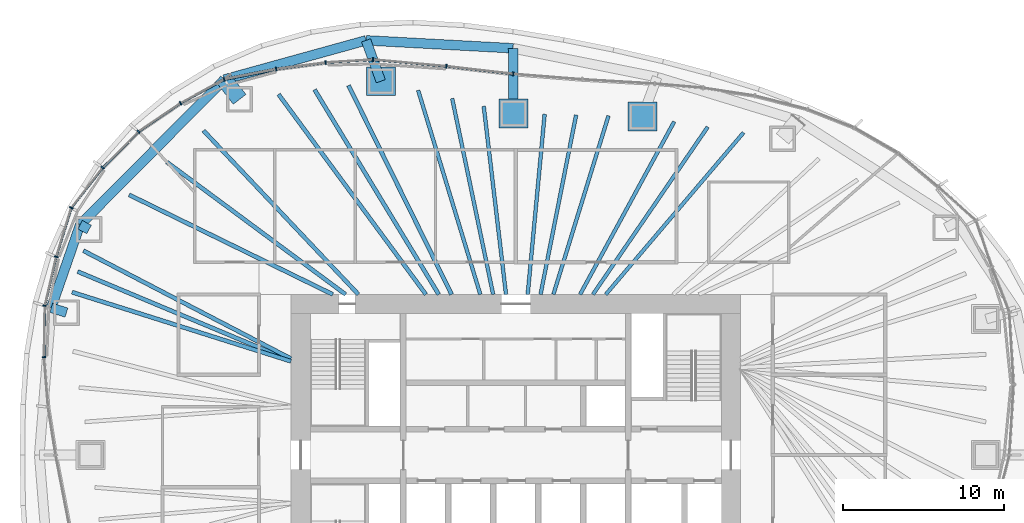
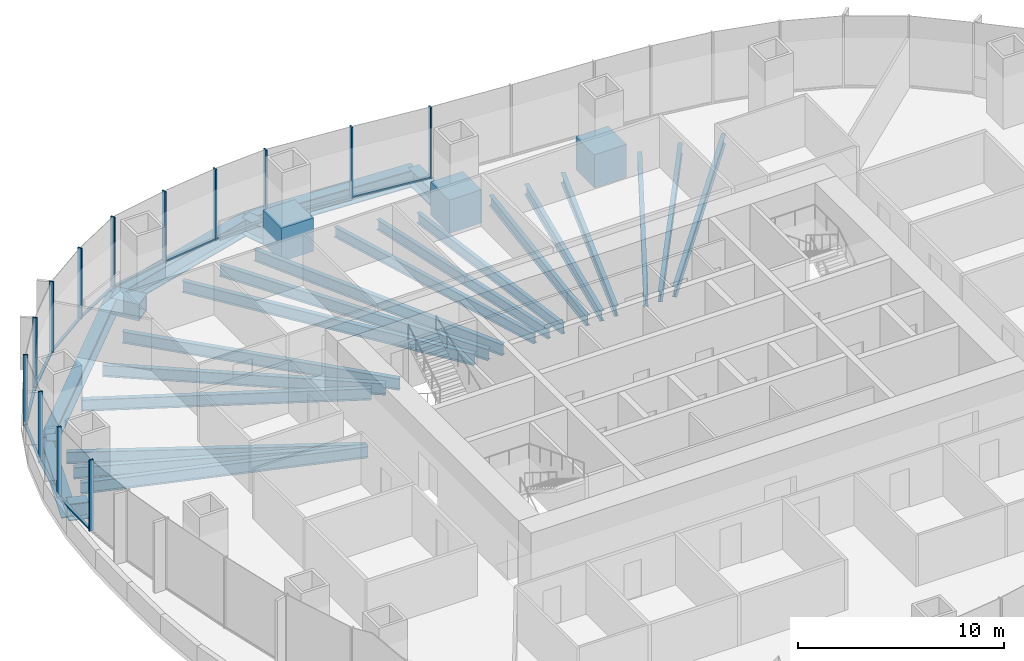
# One storey, part 5 of 20: 28 members, 27 beams, 5 elements without a shape of their own.
"""IFC4 building model written with IfcOpenShell, lengths in metres."""

import ifcopenshell
import ifcopenshell.guid

model = None  # the IFC model being written
_history = None  # IfcOwnerHistory: only IFC2X3 demands one
_inside = {}  # id of a spatial element -> (the spatial element, [elements in it])
_under = {}  # id of a project, library or spatial element -> (it, [spatial elements below it])
_declared = {}  # id of a project -> (the project, [libraries it declares])
_typed = {}  # id of a type object -> (the type object, [elements of that type])
_made_of = {}  # id of a material, layer set ... -> (it, [elements and type objects made of it])


def new_model(schema):
    """Start an empty IFC model of exactly this schema.

    Asked for "IFC4X3", IfcOpenShell would pick the latest addendum, in which some entities
    have other attributes; the version numbers below select the first issue.
    IFC2X3 requires an IfcOwnerHistory on every rooted entity: one is made here for all.
    """
    global model, _history
    if schema == "IFC4X3":
        model = ifcopenshell.file(schema_version=(4, 3, 0, 0))
    else:
        model = ifcopenshell.file(schema=schema)
    _inside.clear()
    _under.clear()
    _declared.clear()
    _typed.clear()
    _made_of.clear()
    _history = None
    if model.schema == "IFC2X3":
        org = make("IfcOrganization", Name="unknown")
        user = make(
            "IfcPersonAndOrganization",
            ThePerson=make("IfcPerson", FamilyName="unknown"),
            TheOrganization=org,
        )
        app = make(
            "IfcApplication",
            ApplicationDeveloper=org,
            Version="unknown",
            ApplicationFullName="unknown",
            ApplicationIdentifier="unknown",
        )
        _history = make(
            "IfcOwnerHistory",
            OwningUser=user,
            OwningApplication=app,
            ChangeAction="ADDED",
            CreationDate=0,
        )
    return model


def make(cls, **values):
    """One entity of the class cls with the attributes given. An attribute that is None is left unset."""
    return model.create_entity(
        cls, **{name: value for name, value in values.items() if value is not None}
    )


def rooted(cls, **values):
    """An entity with a GlobalId (a new one), such as an element, a storey or a relation."""
    return make(cls, GlobalId=ifcopenshell.guid.new(), OwnerHistory=_history, **values)


def si_unit(unit_type, name, prefix=None):
    """IfcSIUnit, for example si_unit("LENGTHUNIT", "METRE", prefix="MILLI")."""
    return make("IfcSIUnit", UnitType=unit_type, Prefix=prefix, Name=name)


def assignment(units):
    """IfcUnitAssignment: the units of a project."""
    return None if units is None else make("IfcUnitAssignment", Units=units)


def point(xyz):
    """IfcCartesianPoint."""
    return None if xyz is None else make("IfcCartesianPoint", Coordinates=xyz)


def direction(xyz):
    """IfcDirection."""
    return None if xyz is None else make("IfcDirection", DirectionRatios=xyz)


def frame(location, z_axis=None, x_axis=None):
    """IfcAxis2Placement3D, a coordinate frame: its origin and axes. An axis left out is left unset."""
    return make(
        "IfcAxis2Placement3D",
        Location=point(location),
        Axis=direction(z_axis),
        RefDirection=direction(x_axis),
    )


def frame_2d(location, x_axis=None):
    """IfcAxis2Placement2D, a coordinate frame in the plane: its origin and x axis."""
    return make(
        "IfcAxis2Placement2D", Location=point(location), RefDirection=direction(x_axis)
    )


def origin():
    """The frame at (0, 0, 0) with its axes left unset."""
    return frame((0.0, 0.0, 0.0))


def origin_2d():
    """The frame at (0, 0) in the plane with its x axis left unset."""
    return frame_2d((0.0, 0.0))


def place(relative_to, where):
    """IfcLocalPlacement: puts the frame where relative to a parent placement (None: the world)."""
    return make(
        "IfcLocalPlacement", PlacementRelTo=relative_to, RelativePlacement=where
    )


def context(
    kind, dimensions, precision=None, world=None, true_north=None, identifier=None
):
    """IfcGeometricRepresentationContext, for example the 3D "Model" context."""
    return make(
        "IfcGeometricRepresentationContext",
        ContextIdentifier=identifier,
        ContextType=kind,
        CoordinateSpaceDimension=dimensions,
        Precision=precision,
        WorldCoordinateSystem=world,
        TrueNorth=true_north,
    )


def subcontext(parent, identifier, kind, view, scale=None):
    """IfcGeometricRepresentationSubContext, for example "Body" below "Model"."""
    return make(
        "IfcGeometricRepresentationSubContext",
        ContextIdentifier=identifier,
        ContextType=kind,
        ParentContext=parent,
        TargetScale=scale,
        TargetView=view,
    )


def project(units=None, contexts=None):
    """IfcProject with its units and contexts."""
    return rooted(
        "IfcProject",
        Name="project",
        RepresentationContexts=contexts,
        UnitsInContext=assignment(units),
    )


def spatial(cls, under=None, at=None, **own):
    """A site, building, storey or space (cls), placed at a placement, below another one or the project."""
    s = rooted(cls, ObjectPlacement=at, **own)
    if under is not None:
        _under.setdefault(under.id(), (under, []))[1].append(s)
    return s


def profile(cls, at=None, kind="AREA", **sizes):
    """A parametric profile (cls). Its sizes go by their IFC names, for example OverallWidth=200.0."""
    return make(cls, ProfileType=kind, Position=at, **sizes)


def rectangle(**sizes):
    """IfcRectangleProfileDef."""
    return profile("IfcRectangleProfileDef", **sizes)


def hollow_rectangle(**sizes):
    """IfcRectangleHollowProfileDef."""
    return profile("IfcRectangleHollowProfileDef", **sizes)


def i_section(**sizes):
    """IfcIShapeProfileDef."""
    return profile("IfcIShapeProfileDef", **sizes)


def extrude(swept, where, along, depth):
    """IfcExtrudedAreaSolid: the profile swept, set in the frame where, extruded along a direction by depth."""
    return make(
        "IfcExtrudedAreaSolid",
        SweptArea=swept,
        Position=where,
        ExtrudedDirection=direction(along),
        Depth=depth,
    )


def boolean(op, a, b):
    """IfcBooleanResult of two solids."""
    return make("IfcBooleanResult", Operator=op, FirstOperand=a, SecondOperand=b)


def shape(context_of_items, identifier, shape_type, items):
    """IfcShapeRepresentation: the items that make up one representation, for example the "Body"."""
    return make(
        "IfcShapeRepresentation",
        ContextOfItems=context_of_items,
        RepresentationIdentifier=identifier,
        RepresentationType=shape_type,
        Items=items,
    )


def material(Name=None, Category=None):
    """IfcMaterial."""
    return make("IfcMaterial", Name=Name, Category=Category)


def material_profile(
    of_material, cross_section, Name=None, Category=None, Priority=None
):
    """IfcMaterialProfile: a cross section and its material."""
    return make(
        "IfcMaterialProfile",
        Name=Name,
        Material=of_material,
        Profile=cross_section,
        Priority=Priority,
        Category=Category,
    )


def profile_set(profiles, Name=None, composite=None):
    """IfcMaterialProfileSet."""
    return make(
        "IfcMaterialProfileSet",
        Name=Name,
        MaterialProfiles=profiles,
        CompositeProfile=composite,
    )


def made_of(thing, what):
    """Note that an element or type object is made of a material, layer set ...; save() writes the relation."""
    if what is not None:
        _made_of.setdefault(what.id(), (what, []))[1].append(thing)
    return thing


def type_object(cls, material=None, **own):
    """A type object (cls), such as IfcWallType, which elements share."""
    return made_of(rooted(cls, **own), material)


def element(
    cls,
    number,
    at=None,
    inside=None,
    cuts=None,
    type_object=None,
    material=None,
    context=None,
    identifier="Body",
    shape_type=None,
    held_by="IfcProductDefinitionShape",
    body=None,
    shapes=None,
    **own,
):
    """One element of the class cls, such as IfcWall. Its Tag is "e" and its number.

    at: its placement. inside: the storey or other place that contains it. cuts: it is an
    opening in that element (IfcRelVoidsElement). A single representation is given by context,
    identifier, shape_type and body (its items); several are given by shapes. held_by: the class
    of the entity that holds the representations. save() writes the other relations.
    """
    e = rooted(cls, Tag="e%d" % number, ObjectPlacement=at, **own)
    if body is not None:
        shapes = [shape(context, identifier, shape_type, body)]
    if shapes is not None:
        e.Representation = make(held_by, Representations=shapes)
    if inside is not None:
        _inside.setdefault(inside.id(), (inside, []))[1].append(e)
    if cuts is not None:
        rooted(
            "IfcRelVoidsElement", RelatingBuildingElement=cuts, RelatedOpeningElement=e
        )
    if type_object is not None:
        _typed.setdefault(type_object.id(), (type_object, []))[1].append(e)
    return made_of(e, material)


def aggregate(whole, parts):
    """IfcRelAggregates: a whole, such as a stair, and the parts it consists of."""
    return rooted("IfcRelAggregates", RelatingObject=whole, RelatedObjects=parts)


def save(model, path):
    """Write the relations noted so far, then the file.

    IfcRelAggregates (storeys below a building ...), IfcRelContainedInSpatialStructure (elements
    in a storey), IfcRelDefinesByType, IfcRelAssociatesMaterial and IfcRelDeclares: one each for
    every whole, place, type object, material and project.
    """
    for whole, parts in _under.values():
        aggregate(whole, parts)
    for where, things in _inside.values():
        rooted(
            "IfcRelContainedInSpatialStructure",
            RelatedElements=things,
            RelatingStructure=where,
        )
    for kind, things in _typed.values():
        rooted("IfcRelDefinesByType", RelatedObjects=things, RelatingType=kind)
    for what, things in _made_of.values():
        rooted("IfcRelAssociatesMaterial", RelatedObjects=things, RelatingMaterial=what)
    for by, libraries in _declared.values():
        rooted("IfcRelDeclares", RelatingContext=by, RelatedDefinitions=libraries)
    model.write(path)


model = new_model("IFC4")

# Units and contexts
model_context = context("Model", 3, precision=1e-05, world=origin(), true_north=direction((0.0, 1.0)))
body_context = subcontext(model_context, "Body", "Model", "MODEL_VIEW")
ifc_project = project(units=[si_unit("LENGTHUNIT", "METRE"), si_unit("AREAUNIT", "SQUARE_METRE"), si_unit("VOLUMEUNIT", "CUBIC_METRE"), si_unit("PLANEANGLEUNIT", "RADIAN"), si_unit("MASSUNIT", "GRAM", prefix="KILO")], contexts=[model_context])

# Site, building, storey
site_placement = place(None, origin())
site = spatial("IfcSite", under=ifc_project, at=site_placement, CompositionType="ELEMENT")
building_placement = place(site_placement, origin())
building = spatial("IfcBuilding", under=site, at=building_placement, Name="Ghaith Harvest Tower", CompositionType="ELEMENT")
storey_placement = place(building_placement, frame((0.0, 0.0, 105.0)))
storey = spatial("IfcBuildingStorey", under=building, at=storey_placement, Name="L21", CompositionType="ELEMENT", Elevation=105.0)

# Curtain wall, members
ifc_material_1 = material(Name="Black anodised aluminium and fritted glass", Category="aluminium")
curtain_wall_type = type_object("IfcCurtainWallType", Name="CW-L CURTAIN WALL", PredefinedType="NOTDEFINED", material=ifc_material_1)
curtain_wall_1_placement = place(storey_placement, origin())
curtain_wall_1 = element("IfcCurtainWall", 1, at=curtain_wall_1_placement, inside=storey, type_object=curtain_wall_type, Name="Curtain wall CW-L bay 06 L21", PredefinedType="NOTDEFINED")
ifc_material_2 = material(Name="Aluminium, black anodised", Category="aluminium")
ifc_material_profile_1 = material_profile(ifc_material_2, rectangle(XDim=0.080078125, YDim=0.239990234375, at=origin_2d()), Name="CW-L MULLION 80x240")
ifc_profile_set_1 = profile_set([ifc_material_profile_1], Name="Aluminium, black anodised")
member_type_1 = type_object("IfcMemberType", Name="CW-L MULLION 80x240", PredefinedType="MULLION", material=ifc_profile_set_1)
member_1_placement = place(storey_placement, frame((-0.162353515625, 23.729736328125, 0.0), z_axis=(0.0, 0.0, 1.0), x_axis=(-0.995388088953, 0.095929934691, 0.0)))
member_1 = element("IfcMember", 2, at=member_1_placement, type_object=member_type_1, Name="CW-L mullion 1 bay 06 L21", PredefinedType="MULLION", context=body_context, shape_type="SweptSolid", body=[
    extrude(rectangle(XDim=0.080078125, YDim=0.239990234375, at=origin_2d()), origin(), (0.0, 0.0, 1.0), 4.199951171875),
])
member_2_placement = place(storey_placement, frame((-4.322998046875, 24.207275390625, 0.0), z_axis=(0.0, 0.0, 1.0), x_axis=(-0.994830371571, 0.101550636625, 0.0)))
member_2 = element("IfcMember", 3, at=member_2_placement, type_object=member_type_1, Name="CW-L mullion 2 bay 06 L21", PredefinedType="MULLION", context=body_context, shape_type="SweptSolid", body=[
    extrude(rectangle(XDim=0.080078125, YDim=0.239990234375, at=origin_2d()), origin(), (0.0, 0.0, 1.0), 4.199951171875),
])

curtain_wall_2_placement = place(storey_placement, origin())
curtain_wall_2 = element("IfcCurtainWall", 4, at=curtain_wall_2_placement, inside=storey, type_object=curtain_wall_type, Name="Curtain wall CW-L bay 07 L21", PredefinedType="NOTDEFINED")
member_3_placement = place(storey_placement, frame((-8.892578125, 24.620849609375, 0.0), z_axis=(0.0, 0.0, 1.0), x_axis=(-0.999522209385, 0.030908784286, 0.0)))
member_3 = element("IfcMember", 5, at=member_3_placement, type_object=member_type_1, Name="CW-L mullion 1 bay 07 L21", PredefinedType="MULLION", context=body_context, shape_type="SweptSolid", body=[
    extrude(rectangle(XDim=0.080078125, YDim=0.239990234375, at=origin_2d()), origin(), (0.0, 0.0, 1.0), 4.199951171875),
])
member_4_placement = place(storey_placement, frame((-11.841064453125, 24.439697265625, 0.0), z_axis=(0.0, 0.0, 1.0), x_axis=(-0.995237520168, -0.097479630949, 0.0)))
member_4 = element("IfcMember", 6, at=member_4_placement, type_object=member_type_1, Name="CW-L mullion 2 bay 07 L21", PredefinedType="MULLION", context=body_context, shape_type="SweptSolid", body=[
    extrude(rectangle(XDim=0.080078125, YDim=0.239990234375, at=origin_2d()), origin(), (0.0, 0.0, 1.0), 4.199951171875),
])
member_5_placement = place(storey_placement, frame((-14.923828125, 24.030029296875, 0.0), z_axis=(0.0, 0.0, 1.0), x_axis=(-0.986494514812, -0.163794298578, 0.0)))
member_5 = element("IfcMember", 7, at=member_5_placement, type_object=member_type_1, Name="CW-L mullion 3 bay 07 L21", PredefinedType="MULLION", context=body_context, shape_type="SweptSolid", body=[
    extrude(rectangle(XDim=0.080078125, YDim=0.239990234375, at=origin_2d()), origin(), (0.0, 0.0, 1.0), 4.199951171875),
])

curtain_wall_3_placement = place(storey_placement, origin())
curtain_wall_3 = element("IfcCurtainWall", 8, at=curtain_wall_3_placement, inside=storey, type_object=curtain_wall_type, Name="Curtain wall CW-L bay 08 L21", PredefinedType="NOTDEFINED")
member_6_placement = place(storey_placement, frame((-18.165283203125, 23.3896484375, 0.0), z_axis=(0.0, 0.0, 1.0), x_axis=(-0.942103541202, -0.335322110298, 0.0)))
member_6 = element("IfcMember", 9, at=member_6_placement, type_object=member_type_1, Name="CW-L mullion 1 bay 08 L21", PredefinedType="MULLION", context=body_context, shape_type="SweptSolid", body=[
    extrude(rectangle(XDim=0.080078125, YDim=0.239990234375, at=origin_2d()), origin(), (0.0, 0.0, 1.0), 4.199951171875),
])
member_7_placement = place(storey_placement, frame((-20.87548828125, 21.91162109375, 0.0), z_axis=(0.0, 0.0, 1.0), x_axis=(-0.853515864435, -0.521066856707, 0.0)))
member_7 = element("IfcMember", 10, at=member_7_placement, type_object=member_type_1, Name="CW-L mullion 2 bay 08 L21", PredefinedType="MULLION", context=body_context, shape_type="SweptSolid", body=[
    extrude(rectangle(XDim=0.080078125, YDim=0.239990234375, at=origin_2d()), origin(), (0.0, 0.0, 1.0), 4.199951171875),
])
member_8_placement = place(storey_placement, frame((-23.489501953125, 20.13916015625, 0.0), z_axis=(0.0, 0.0, 1.0), x_axis=(-0.769682554376, -0.638426789451, 0.0)))
member_8 = element("IfcMember", 11, at=member_8_placement, type_object=member_type_1, Name="CW-L mullion 3 bay 08 L21", PredefinedType="MULLION", context=body_context, shape_type="SweptSolid", body=[
    extrude(rectangle(XDim=0.080078125, YDim=0.239990234375, at=origin_2d()), origin(), (0.0, 0.0, 1.0), 4.199951171875),
])

curtain_wall_4_placement = place(storey_placement, origin())
curtain_wall_4 = element("IfcCurtainWall", 12, at=curtain_wall_4_placement, inside=storey, type_object=curtain_wall_type, Name="Curtain wall CW-L bay 09 L21", PredefinedType="NOTDEFINED")
member_9_placement = place(storey_placement, frame((-25.718017578125, 17.894775390625, 0.0), z_axis=(0.0, 0.0, 1.0), x_axis=(-0.661903840688, -0.749588757708, 0.0)))
member_9 = element("IfcMember", 13, at=member_9_placement, type_object=member_type_1, Name="CW-L mullion 1 bay 09 L21", PredefinedType="MULLION", context=body_context, shape_type="SweptSolid", body=[
    extrude(rectangle(XDim=0.080078125, YDim=0.239990234375, at=origin_2d()), origin(), (0.0, 0.0, 1.0), 4.199951171875),
])
member_10_placement = place(storey_placement, frame((-27.67919921875, 15.39453125, 0.0), z_axis=(0.0, 0.0, 1.0), x_axis=(-0.462889784298, -0.886415843491, 0.0)))
member_10 = element("IfcMember", 14, at=member_10_placement, type_object=member_type_1, Name="CW-L mullion 2 bay 09 L21", PredefinedType="MULLION", context=body_context, shape_type="SweptSolid", body=[
    extrude(rectangle(XDim=0.080078125, YDim=0.239990234375, at=origin_2d()), origin(), (0.0, 0.0, 1.0), 4.199951171875),
])
member_11_placement = place(storey_placement, frame((-28.61669921875, 12.343994140625, 0.0), z_axis=(0.0, 0.0, 1.0), x_axis=(-0.260727312416, -0.965412486226, 0.0)))
member_11 = element("IfcMember", 15, at=member_11_placement, type_object=member_type_1, Name="CW-L mullion 3 bay 09 L21", PredefinedType="MULLION", context=body_context, shape_type="SweptSolid", body=[
    extrude(rectangle(XDim=0.080078125, YDim=0.239990234375, at=origin_2d()), origin(), (0.0, 0.0, 1.0), 4.199951171875),
])

curtain_wall_5_placement = place(storey_placement, origin())
curtain_wall_5 = element("IfcCurtainWall", 16, at=curtain_wall_5_placement, inside=storey, type_object=curtain_wall_type, Name="Curtain wall CW-L bay 10 L21", PredefinedType="NOTDEFINED")
member_12_placement = place(storey_placement, frame((-29.32666015625, 9.294189453125, 0.0), z_axis=(0.0, 0.0, 1.0), x_axis=(-0.120932140225, -0.99266077663, 0.0)))
member_12 = element("IfcMember", 17, at=member_12_placement, type_object=member_type_1, Name="CW-L mullion 1 bay 10 L21", PredefinedType="MULLION", context=body_context, shape_type="SweptSolid", body=[
    extrude(rectangle(XDim=0.080078125, YDim=0.239990234375, at=origin_2d()), origin(), (0.0, 0.0, 1.0), 4.199951171875),
])
member_13_placement = place(storey_placement, frame((-29.3779296875, 6.09619140625, 0.0), z_axis=(0.0, 0.0, 1.0), x_axis=(0.031027769448, -0.999518522851, 0.0)))
member_13 = element("IfcMember", 18, at=member_13_placement, type_object=member_type_1, Name="CW-L mullion 2 bay 10 L21", PredefinedType="MULLION", context=body_context, shape_type="SweptSolid", body=[
    extrude(rectangle(XDim=0.080078125, YDim=0.239990234375, at=origin_2d()), origin(), (0.0, 0.0, 1.0), 4.199951171875),
])

# Member
ifc_material_3 = material(Name="Aluminium, black anodised", Category="aluminium")
ifc_material_profile_2 = material_profile(ifc_material_3, rectangle(XDim=0.14990234375, YDim=0.080078125, at=origin_2d()), Name="CW-L TRANSOM 150x80")
ifc_profile_set_2 = profile_set([ifc_material_profile_2], Name="Aluminium, black anodised")
member_type_2 = type_object("IfcMemberType", Name="CW-L TRANSOM 150x80", PredefinedType="USERDEFINED", material=ifc_profile_set_2)
member_14_placement = place(storey_placement, frame((-0.2021484375, 23.734130859375, 0.0400390625), z_axis=(-0.993474883942, 0.114051106861, 0.0), x_axis=(-0.114051106861, -0.993474883942, 0.0)))
member_14 = element("IfcMember", 19, at=member_14_placement, type_object=member_type_2, Name="CW-L transom 1 bay 06 L21", ObjectType="TRANSOM", PredefinedType="USERDEFINED", context=body_context, shape_type="SweptSolid", body=[
    extrude(rectangle(XDim=0.14990234375, YDim=0.080078125, at=origin_2d()), origin(), (0.0, 0.0, 1.0), 4.10791015625),
])

member_15_placement = place(storey_placement, frame((-4.36279296875, 24.210693359375, 0.0400390625), z_axis=(-0.995926431676, 0.090169521954, 0.0), x_axis=(-0.090169521954, -0.995926431676, 0.0)))
member_15 = element("IfcMember", 20, at=member_15_placement, type_object=member_type_2, Name="CW-L transom 2 bay 06 L21", ObjectType="TRANSOM", PredefinedType="USERDEFINED", context=body_context, shape_type="SweptSolid", body=[
    extrude(rectangle(XDim=0.14990234375, YDim=0.080078125, at=origin_2d()), origin(), (0.0, 0.0, 1.0), 4.508056640625),
])

aggregate(curtain_wall_1, [member_1, member_14, member_2, member_15])

member_16_placement = place(storey_placement, frame((-8.932373046875, 24.618408203125, 0.0400390625), z_axis=(-0.998117793577, -0.061325933705, 0.0), x_axis=(0.061325933705, -0.998117793577, 0.0)))
member_16 = element("IfcMember", 21, at=member_16_placement, type_object=member_type_2, Name="CW-L transom 1 bay 07 L21", ObjectType="TRANSOM", PredefinedType="USERDEFINED", context=body_context, shape_type="SweptSolid", body=[
    extrude(rectangle(XDim=0.14990234375, YDim=0.080078125, at=origin_2d()), origin(), (0.0, 0.0, 1.0), 2.874267578125),
])

member_17_placement = place(storey_placement, frame((-11.880859375, 24.434326171875, 0.0400390625), z_axis=(-0.991293929443, -0.131667556553, 0.0), x_axis=(0.131667556553, -0.991293929443, 0.0)))
member_17 = element("IfcMember", 22, at=member_17_placement, type_object=member_type_2, Name="CW-L transom 2 bay 07 L21", ObjectType="TRANSOM", PredefinedType="USERDEFINED", context=body_context, shape_type="SweptSolid", body=[
    extrude(rectangle(XDim=0.14990234375, YDim=0.080078125, at=origin_2d()), origin(), (0.0, 0.0, 1.0), 3.02978515625),
])

member_18_placement = place(storey_placement, frame((-14.963134765625, 24.022216796875, 0.0400390625), z_axis=(-0.98104391994, -0.19378551842, 0.0), x_axis=(0.19378551842, -0.98104391994, 0.0)))
member_18 = element("IfcMember", 23, at=member_18_placement, type_object=member_type_2, Name="CW-L transom 3 bay 07 L21", ObjectType="TRANSOM", PredefinedType="USERDEFINED", context=body_context, shape_type="SweptSolid", body=[
    extrude(rectangle(XDim=0.14990234375, YDim=0.080078125, at=origin_2d()), origin(), (0.0, 0.0, 1.0), 3.223876953125),
])

aggregate(curtain_wall_2, [member_3, member_16, member_4, member_17, member_5, member_18])

member_19_placement = place(storey_placement, frame((-18.200439453125, 23.37060546875, 0.0400390625), z_axis=(-0.877929702377, -0.478789554695, 0.0), x_axis=(0.478789554695, -0.877929702377, 0.0)))
member_19 = element("IfcMember", 24, at=member_19_placement, type_object=member_type_2, Name="CW-L transom 1 bay 08 L21", ObjectType="TRANSOM", PredefinedType="USERDEFINED", context=body_context, shape_type="SweptSolid", body=[
    extrude(rectangle(XDim=0.14990234375, YDim=0.080078125, at=origin_2d()), origin(), (0.0, 0.0, 1.0), 3.0068359375),
])

member_20_placement = place(storey_placement, frame((-20.908447265625, 21.88916015625, 0.0400390625), z_axis=(-0.827681025079, -0.561198824593, 0.0), x_axis=(0.561198824593, -0.827681025079, 0.0)))
member_20 = element("IfcMember", 25, at=member_20_placement, type_object=member_type_2, Name="CW-L transom 2 bay 08 L21", ObjectType="TRANSOM", PredefinedType="USERDEFINED", context=body_context, shape_type="SweptSolid", body=[
    extrude(rectangle(XDim=0.14990234375, YDim=0.080078125, at=origin_2d()), origin(), (0.0, 0.0, 1.0), 3.078369140625),
])

member_21_placement = place(storey_placement, frame((-23.517578125, 20.11083984375, 0.0400390625), z_axis=(-0.704647577514, -0.709557461735, 0.0), x_axis=(0.709557461735, -0.704647577514, 0.0)))
member_21 = element("IfcMember", 26, at=member_21_placement, type_object=member_type_2, Name="CW-L transom 3 bay 08 L21", ObjectType="TRANSOM", PredefinedType="USERDEFINED", context=body_context, shape_type="SweptSolid", body=[
    extrude(rectangle(XDim=0.14990234375, YDim=0.080078125, at=origin_2d()), origin(), (0.0, 0.0, 1.0), 3.0830078125),
])

aggregate(curtain_wall_3, [member_6, member_19, member_7, member_20, member_8, member_21])

member_22_placement = place(storey_placement, frame((-25.74267578125, 17.86328125, 0.0400390625), z_axis=(-0.617198298797, -0.786807638474, 0.0), x_axis=(0.786807638474, -0.617198298797, 0.0)))
member_22 = element("IfcMember", 27, at=member_22_placement, type_object=member_type_2, Name="CW-L transom 1 bay 09 L21", ObjectType="TRANSOM", PredefinedType="USERDEFINED", context=body_context, shape_type="SweptSolid", body=[
    extrude(rectangle(XDim=0.14990234375, YDim=0.080078125, at=origin_2d()), origin(), (0.0, 0.0, 1.0), 3.09765625),
])

member_23_placement = place(storey_placement, frame((-27.69091796875, 15.356201171875, 0.0400390625), z_axis=(-0.293777058804, -0.955873966441, 0.0), x_axis=(0.955873966441, -0.293777058804, 0.0)))
member_23 = element("IfcMember", 28, at=member_23_placement, type_object=member_type_2, Name="CW-L transom 2 bay 09 L21", ObjectType="TRANSOM", PredefinedType="USERDEFINED", context=body_context, shape_type="SweptSolid", body=[
    extrude(rectangle(XDim=0.14990234375, YDim=0.080078125, at=origin_2d()), origin(), (0.0, 0.0, 1.0), 3.111328125),
])

member_24_placement = place(storey_placement, frame((-28.6259765625, 12.304931640625, 0.0400390625), z_axis=(-0.226670598607, -0.973971477882, 0.0), x_axis=(0.973971477882, -0.226670598607, 0.0)))
member_24 = element("IfcMember", 29, at=member_24_placement, type_object=member_type_2, Name="CW-L transom 3 bay 09 L21", ObjectType="TRANSOM", PredefinedType="USERDEFINED", context=body_context, shape_type="SweptSolid", body=[
    extrude(rectangle(XDim=0.14990234375, YDim=0.080078125, at=origin_2d()), origin(), (0.0, 0.0, 1.0), 3.05126953125),
])

aggregate(curtain_wall_4, [member_9, member_22, member_10, member_23, member_11, member_24])

member_25_placement = place(storey_placement, frame((-29.327392578125, 9.254150390625, 0.0400390625), z_axis=(-0.015971652868, -0.999872445017, 0.0), x_axis=(0.999872445017, -0.015971652868, 0.0)))
member_25 = element("IfcMember", 30, at=member_25_placement, type_object=member_type_2, Name="CW-L transom 1 bay 10 L21", ObjectType="TRANSOM", PredefinedType="USERDEFINED", context=body_context, shape_type="SweptSolid", body=[
    extrude(rectangle(XDim=0.14990234375, YDim=0.080078125, at=origin_2d()), origin(), (0.0, 0.0, 1.0), 3.118408203125),
])

aggregate(curtain_wall_5, [member_12, member_25, member_13])

# Beams
ifc_material_4 = material(Name="Steel S460", Category="steel")
ifc_material_profile_3 = material_profile(ifc_material_4, i_section(OverallWidth=0.60009765625, OverallDepth=1.0, WebThickness=0.02490234375, FlangeThickness=0.050048828125, at=origin_2d()), Name="PG1000X600X25X50")
ifc_profile_set_3 = profile_set([ifc_material_profile_3], Name="Steel S460")
beam_type_1 = type_object("IfcBeamType", Name="EPG1000 PG1000X600X25X50", PredefinedType="SPANDREL", material=ifc_profile_set_3)
beam_1_placement = place(storey_placement, frame((-0.17333984375, 25.3271484375, -0.77490234375), z_axis=(-0.998545840532, 0.053909223293, 0.0), x_axis=(-0.053909223293, -0.998545840532, 0.0)))
element("IfcBeam", 31, at=beam_1_placement, inside=storey, type_object=beam_type_1, Name="Setback edge beam E06 L21", PredefinedType="SPANDREL", context=body_context, shape_type="SweptSolid", body=[
    extrude(i_section(OverallWidth=0.60009765625, OverallDepth=1.0, WebThickness=0.02490234375, FlangeThickness=0.050048828125, at=origin_2d()), origin(), (0.0, 0.0, 1.0), 9.166259765625),
])
beam_2_placement = place(storey_placement, frame((-9.326171875, 25.8212890625, -0.77490234375), z_axis=(-0.963849273631, -0.26644807697, 0.0), x_axis=(0.26644807697, -0.963849273631, 0.0)))
element("IfcBeam", 32, at=beam_2_placement, inside=storey, type_object=beam_type_1, Name="Setback edge beam E07 L21", PredefinedType="SPANDREL", context=body_context, shape_type="SweptSolid", body=[
    extrude(i_section(OverallWidth=0.60009765625, OverallDepth=1.0, WebThickness=0.02490234375, FlangeThickness=0.050048828125, at=origin_2d()), origin(), (0.0, 0.0, 1.0), 9.162841796875),
])
beam_3_placement = place(storey_placement, frame((-18.15771484375, 23.3798828125, -0.77490234375), z_axis=(-0.704591401577, -0.709613244538, 0.0), x_axis=(0.709613244538, -0.704591401577, 0.0)))
element("IfcBeam", 33, at=beam_3_placement, inside=storey, type_object=beam_type_1, Name="Setback edge beam E08 L21", PredefinedType="SPANDREL", context=body_context, shape_type="SweptSolid", body=[
    extrude(i_section(OverallWidth=0.60009765625, OverallDepth=1.0, WebThickness=0.02490234375, FlangeThickness=0.050048828125, at=origin_2d()), origin(), (0.0, 0.0, 1.0), 12.7373046875),
])
beam_4_placement = place(storey_placement, frame((-27.13232421875, 14.34130859375, -0.77490234375), z_axis=(-0.328292374125, -0.94457615738, 0.0), x_axis=(0.94457615738, -0.328292374125, 0.0)))
element("IfcBeam", 34, at=beam_4_placement, inside=storey, type_object=beam_type_1, Name="Setback edge beam E09 L21", PredefinedType="SPANDREL", context=body_context, shape_type="SweptSolid", body=[
    extrude(i_section(OverallWidth=0.60009765625, OverallDepth=1.0, WebThickness=0.02490234375, FlangeThickness=0.050048828125, at=origin_2d()), origin(), (0.0, 0.0, 1.0), 5.476318359375),
])
ifc_material_5 = material(Name="Steel S460M", Category="steel")
ifc_material_profile_4 = material_profile(ifc_material_5, hollow_rectangle(XDim=1.0, YDim=1.0, WallThickness=0.080078125, at=origin_2d()), Name="BOX1000X1000X80")
ifc_profile_set_4 = profile_set([ifc_material_profile_4], Name="Steel S460M")
beam_type_2 = type_object("IfcBeamType", Name="GB1000 BOX1000X1000X80", PredefinedType="BEAM", material=ifc_profile_set_4)
beam_5_placement = place(storey_placement, frame((-17.201904296875, 22.14990234375, -0.77490234375), z_axis=(-0.61360418766, 0.789613766905, 0.0), x_axis=(-0.789613766905, -0.61360418766, 0.0)))
element("IfcBeam", 35, at=beam_5_placement, inside=storey, type_object=beam_type_2, Name="Setback cantilever G08 L21", PredefinedType="BEAM", context=body_context, shape_type="SweptSolid", body=[
    extrude(hollow_rectangle(XDim=1.0, YDim=1.0, WallThickness=0.080078125, at=origin_2d()), origin(), (0.0, 0.0, 1.0), 1.5576171875),
])
ifc_material_6 = material(Name="Steel S460", Category="steel")
ifc_material_profile_5 = material_profile(ifc_material_6, i_section(OverallWidth=0.60009765625, OverallDepth=1.0, WebThickness=0.02490234375, FlangeThickness=0.050048828125, at=origin_2d()), Name="PG1000X600X25X50")
ifc_profile_set_5 = profile_set([ifc_material_profile_5], Name="Steel S460")
beam_type_3 = type_object("IfcBeamType", Name="GPG1000 PG1000X600X25X50", PredefinedType="BEAM", material=ifc_profile_set_5)
beam_6_placement = place(storey_placement, frame((-0.14599609375, 21.27099609375, -0.77490234375), z_axis=(-0.006741149341, 0.999977278195, 0.0), x_axis=(-0.999977278195, -0.006741149341, 0.0)))
element("IfcBeam", 36, at=beam_6_placement, inside=storey, type_object=beam_type_3, Name="Setback cantilever G06 L21", PredefinedType="BEAM", context=body_context, shape_type="SweptSolid", body=[
    extrude(i_section(OverallWidth=0.60009765625, OverallDepth=1.0, WebThickness=0.02490234375, FlangeThickness=0.050048828125, at=origin_2d()), origin(), (0.0, 0.0, 1.0), 4.05615234375),
])
beam_7_placement = place(storey_placement, frame((-8.406982421875, 23.27587890625, -0.77490234375), z_axis=(-0.33964889741, 0.940552298646, 0.0), x_axis=(-0.940552298646, -0.33964889741, 0.0)))
element("IfcBeam", 37, at=beam_7_placement, inside=storey, type_object=beam_type_3, Name="Setback cantilever G07 L21", PredefinedType="BEAM", context=body_context, shape_type="SweptSolid", body=[
    extrude(i_section(OverallWidth=0.60009765625, OverallDepth=1.0, WebThickness=0.02490234375, FlangeThickness=0.050048828125, at=origin_2d()), origin(), (0.0, 0.0, 1.0), 2.706298828125),
])
beam_8_placement = place(storey_placement, frame((-26.572998046875, 14.0458984375, -0.77490234375), z_axis=(-0.884247518612, 0.467018549769, 0.0), x_axis=(-0.467018549769, -0.884247518612, 0.0)))
element("IfcBeam", 38, at=beam_8_placement, inside=storey, type_object=beam_type_3, Name="Setback cantilever G09 L21", PredefinedType="BEAM", context=body_context, shape_type="SweptSolid", body=[
    extrude(i_section(OverallWidth=0.60009765625, OverallDepth=1.0, WebThickness=0.02490234375, FlangeThickness=0.050048828125, at=origin_2d()), origin(), (0.0, 0.0, 1.0), 0.632568359375),
])
beam_9_placement = place(storey_placement, frame((-27.98291015625, 8.867919921875, -0.77490234375), z_axis=(-0.953177107799, 0.302412633943, 0.0), x_axis=(-0.302412633943, -0.953177107799, 0.0)))
element("IfcBeam", 39, at=beam_9_placement, inside=storey, type_object=beam_type_3, Name="Setback cantilever G10 L21", PredefinedType="BEAM", context=body_context, shape_type="SweptSolid", body=[
    extrude(i_section(OverallWidth=0.60009765625, OverallDepth=1.0, WebThickness=0.02490234375, FlangeThickness=0.050048828125, at=origin_2d()), origin(), (0.0, 0.0, 1.0), 0.993896484375),
])
ifc_material_7 = material(Name="Steel ASTM A992 Grade 50", Category="steel")
ifc_material_profile_6 = material_profile(ifc_material_7, i_section(OverallWidth=0.22900390625, OverallDepth=0.612060546875, WebThickness=0.011962890625, FlangeThickness=0.01953125, at=origin_2d()), Name="W610X125")
ifc_profile_set_6 = profile_set([ifc_material_profile_6], Name="Steel ASTM A992 Grade 50")
beam_type_4 = type_object("IfcBeamType", Name="J610-125 W610X125", PredefinedType="JOIST", material=ifc_profile_set_6)
beam_10_placement = place(storey_placement, frame((5.60009765625, 10.0, -0.47607421875), z_axis=(0.648194422444, 0.761474878582, 0.0), x_axis=(-0.761474878582, 0.648194422444, 0.0)))
element("IfcBeam", 40, at=beam_10_placement, inside=storey, type_object=beam_type_4, Name="Joist J04.1 L21", PredefinedType="JOIST", context=body_context, shape_type="SweptSolid", body=[
    extrude(i_section(OverallWidth=0.22900390625, OverallDepth=0.612060546875, WebThickness=0.011962890625, FlangeThickness=0.01953125, at=origin_2d()), origin(), (0.0, 0.0, 1.0), 13.235107421875),
])
beam_11_placement = place(storey_placement, frame((4.800048828125, 10.0, -0.47607421875), z_axis=(0.565277671826, 0.824900693256, 0.0), x_axis=(-0.824900693256, 0.565277671826, 0.0)))
element("IfcBeam", 41, at=beam_11_placement, inside=storey, type_object=beam_type_4, Name="Joist J04.2 L21", PredefinedType="JOIST", context=body_context, shape_type="SweptSolid", body=[
    extrude(i_section(OverallWidth=0.22900390625, OverallDepth=0.612060546875, WebThickness=0.011962890625, FlangeThickness=0.01953125, at=origin_2d()), origin(), (0.0, 0.0, 1.0), 12.64404296875),
])
beam_12_placement = place(storey_placement, frame((4.0, 10.0, -0.47607421875), z_axis=(0.478357824489, 0.878165013964, 0.0), x_axis=(-0.878165013964, 0.478357824489, 0.0)))
element("IfcBeam", 42, at=beam_12_placement, inside=storey, type_object=beam_type_4, Name="Joist J04.3 L21", PredefinedType="JOIST", context=body_context, shape_type="SweptSolid", body=[
    extrude(i_section(OverallWidth=0.22900390625, OverallDepth=0.612060546875, WebThickness=0.011962890625, FlangeThickness=0.01953125, at=origin_2d()), origin(), (0.0, 0.0, 1.0), 12.251953125),
])
beam_13_placement = place(storey_placement, frame((2.33837890625, 10.0, -0.47607421875), z_axis=(0.294698851552, 0.955590177269, 0.0), x_axis=(-0.955590177269, 0.294698851552, 0.0)))
element("IfcBeam", 43, at=beam_13_placement, inside=storey, type_object=beam_type_4, Name="Joist J05.1 L21", PredefinedType="JOIST", context=body_context, shape_type="SweptSolid", body=[
    extrude(i_section(OverallWidth=0.22900390625, OverallDepth=0.612060546875, WebThickness=0.011962890625, FlangeThickness=0.01953125, at=origin_2d()), origin(), (0.0, 0.0, 1.0), 11.641357421875),
])
beam_14_placement = place(storey_placement, frame((1.538330078125, 10.0, -0.47607421875), z_axis=(0.194467299131, 0.980909001676, 0.0), x_axis=(-0.980909001676, 0.194467299131, 0.0)))
element("IfcBeam", 44, at=beam_14_placement, inside=storey, type_object=beam_type_4, Name="Joist J05.2 L21", PredefinedType="JOIST", context=body_context, shape_type="SweptSolid", body=[
    extrude(i_section(OverallWidth=0.22900390625, OverallDepth=0.612060546875, WebThickness=0.011962890625, FlangeThickness=0.01953125, at=origin_2d()), origin(), (0.0, 0.0, 1.0), 11.391845703125),
])
beam_15_placement = place(storey_placement, frame((0.73828125, 10.0, -0.47607421875), z_axis=(0.093607062293, 0.995609219468, 0.0), x_axis=(-0.995609219468, 0.093607062293, 0.0)))
element("IfcBeam", 45, at=beam_15_placement, inside=storey, type_object=beam_type_4, Name="Joist J05.3 L21", PredefinedType="JOIST", context=body_context, shape_type="SweptSolid", body=[
    extrude(i_section(OverallWidth=0.22900390625, OverallDepth=0.612060546875, WebThickness=0.011962890625, FlangeThickness=0.01953125, at=origin_2d()), origin(), (0.0, 0.0, 1.0), 11.2724609375),
])
beam_16_placement = place(storey_placement, frame((-0.61181640625, 10.0, -0.47607421875), z_axis=(-0.117555323743, 0.993066335075, 0.0), x_axis=(-0.993066335075, -0.117555323743, 0.0)))
element("IfcBeam", 46, at=beam_16_placement, inside=storey, type_object=beam_type_4, Name="Joist J06.1 L21", PredefinedType="JOIST", context=body_context, shape_type="SweptSolid", body=[
    extrude(i_section(OverallWidth=0.22900390625, OverallDepth=0.612060546875, WebThickness=0.011962890625, FlangeThickness=0.01953125, at=origin_2d()), origin(), (0.0, 0.0, 1.0), 11.802490234375),
])
beam_17_placement = place(storey_placement, frame((-1.411865234375, 10.0, -0.47607421875), z_axis=(-0.204803792152, 0.978803047972, 0.0), x_axis=(-0.978803047972, -0.204803792152, 0.0)))
element("IfcBeam", 47, at=beam_17_placement, inside=storey, type_object=beam_type_4, Name="Joist J06.2 L21", PredefinedType="JOIST", context=body_context, shape_type="SweptSolid", body=[
    extrude(i_section(OverallWidth=0.22900390625, OverallDepth=0.612060546875, WebThickness=0.011962890625, FlangeThickness=0.01953125, at=origin_2d()), origin(), (0.0, 0.0, 1.0), 12.4619140625),
])
beam_18_placement = place(storey_placement, frame((-2.2119140625, 10.0, -0.47607421875), z_axis=(-0.291271281248, 0.956640497115, 0.0), x_axis=(-0.956640497115, -0.291271281248, 0.0)))
element("IfcBeam", 48, at=beam_18_placement, inside=storey, type_object=beam_type_4, Name="Joist J06.3 L21", PredefinedType="JOIST", context=body_context, shape_type="SweptSolid", body=[
    extrude(i_section(OverallWidth=0.22900390625, OverallDepth=0.612060546875, WebThickness=0.011962890625, FlangeThickness=0.01953125, at=origin_2d()), origin(), (0.0, 0.0, 1.0), 13.287841796875),
])
ifc_material_8 = material(Name="Steel ASTM A992 Grade 50", Category="steel")
ifc_material_profile_7 = material_profile(ifc_material_8, i_section(OverallWidth=0.25390625, OverallDepth=0.68408203125, WebThickness=0.012451171875, FlangeThickness=0.018798828125, at=origin_2d()), Name="W690X140")
ifc_profile_set_7 = profile_set([ifc_material_profile_7], Name="Steel ASTM A992 Grade 50")
beam_type_5 = type_object("IfcBeamType", Name="J690-140 W690X140", PredefinedType="JOIST", material=ifc_profile_set_7)
beam_19_placement = place(storey_placement, frame((-4.0, 10.0, -0.511962890625), z_axis=(-0.442214455448, 0.896909346251, 0.0), x_axis=(-0.896909346251, -0.442214455448, 0.0)))
element("IfcBeam", 49, at=beam_19_placement, inside=storey, type_object=beam_type_5, Name="Joist J07.1 L21", PredefinedType="JOIST", context=body_context, shape_type="SweptSolid", body=[
    extrude(i_section(OverallWidth=0.25390625, OverallDepth=0.68408203125, WebThickness=0.012451171875, FlangeThickness=0.018798828125, at=origin_2d()), origin(), (0.0, 0.0, 1.0), 14.514892578125),
])
beam_20_placement = place(storey_placement, frame((-4.800048828125, 10.0, -0.511962890625), z_axis=(-0.51847337083, 0.855093774822, 0.0), x_axis=(-0.855093774822, -0.51847337083, 0.0)))
element("IfcBeam", 50, at=beam_20_placement, inside=storey, type_object=beam_type_5, Name="Joist J07.2 L21", PredefinedType="JOIST", context=body_context, shape_type="SweptSolid", body=[
    extrude(i_section(OverallWidth=0.25390625, OverallDepth=0.68408203125, WebThickness=0.012451171875, FlangeThickness=0.018798828125, at=origin_2d()), origin(), (0.0, 0.0, 1.0), 14.90869140625),
])
beam_21_placement = place(storey_placement, frame((-5.60009765625, 10.0, -0.511962890625), z_axis=(-0.592984827174, 0.805213632983, 0.0), x_axis=(-0.805213632983, -0.592984827174, 0.0)))
element("IfcBeam", 51, at=beam_21_placement, inside=storey, type_object=beam_type_5, Name="Joist J07.3 L21", PredefinedType="JOIST", context=body_context, shape_type="SweptSolid", body=[
    extrude(i_section(OverallWidth=0.25390625, OverallDepth=0.68408203125, WebThickness=0.012451171875, FlangeThickness=0.018798828125, at=origin_2d()), origin(), (0.0, 0.0, 1.0), 15.474609375),
])
beam_22_placement = place(storey_placement, frame((-9.800048828125, 10.0, -0.511962890625), z_axis=(-0.687103155579, 0.726559876124, 0.0), x_axis=(-0.726559876124, -0.687103155579, 0.0)))
element("IfcBeam", 52, at=beam_22_placement, inside=storey, type_object=beam_type_5, Name="Joist J08.1 L21", PredefinedType="JOIST", context=body_context, shape_type="SweptSolid", body=[
    extrude(i_section(OverallWidth=0.25390625, OverallDepth=0.68408203125, WebThickness=0.012451171875, FlangeThickness=0.018798828125, at=origin_2d()), origin(), (0.0, 0.0, 1.0), 14.045654296875),
])
beam_23_placement = place(storey_placement, frame((-10.60009765625, 10.0, -0.511962890625), z_axis=(-0.803663089107, 0.595084564752, 0.0), x_axis=(-0.595084564752, -0.803663089107, 0.0)))
element("IfcBeam", 53, at=beam_23_placement, inside=storey, type_object=beam_type_5, Name="Joist J08.2 L21", PredefinedType="JOIST", context=body_context, shape_type="SweptSolid", body=[
    extrude(i_section(OverallWidth=0.25390625, OverallDepth=0.68408203125, WebThickness=0.012451171875, FlangeThickness=0.018798828125, at=origin_2d()), origin(), (0.0, 0.0, 1.0), 13.843505859375),
])
beam_24_placement = place(storey_placement, frame((-11.39990234375, 10.0, -0.511962890625), z_axis=(-0.898274832354, 0.439434096946, 0.0), x_axis=(-0.439434096946, -0.898274832354, 0.0)))
element("IfcBeam", 54, at=beam_24_placement, inside=storey, type_object=beam_type_5, Name="Joist J08.3 L21", PredefinedType="JOIST", context=body_context, shape_type="SweptSolid", body=[
    extrude(i_section(OverallWidth=0.25390625, OverallDepth=0.68408203125, WebThickness=0.012451171875, FlangeThickness=0.018798828125, at=origin_2d()), origin(), (0.0, 0.0, 1.0), 14.114990234375),
])
beam_25_placement = place(storey_placement, frame((-14.0, 6.0, -0.511962890625), z_axis=(-0.887199250572, 0.461386486347, 0.0), x_axis=(-0.461386486347, -0.887199250572, 0.0)))
element("IfcBeam", 55, at=beam_25_placement, inside=storey, type_object=beam_type_5, Name="Joist J09.1 L21", PredefinedType="JOIST", context=body_context, shape_type="SweptSolid", body=[
    extrude(i_section(OverallWidth=0.25390625, OverallDepth=0.68408203125, WebThickness=0.012451171875, FlangeThickness=0.018798828125, at=origin_2d()), origin(), (0.0, 0.0, 1.0), 14.576904296875),
])
beam_26_placement = place(storey_placement, frame((-14.0, 5.862548828125, -0.511962890625), z_axis=(-0.922385943167, 0.38626955853, 0.0), x_axis=(-0.38626955853, -0.922385943167, 0.0)))
element("IfcBeam", 56, at=beam_26_placement, inside=storey, type_object=beam_type_5, Name="Joist J09.2 L21", PredefinedType="JOIST", context=body_context, shape_type="SweptSolid", body=[
    extrude(i_section(OverallWidth=0.25390625, OverallDepth=0.68408203125, WebThickness=0.012451171875, FlangeThickness=0.018798828125, at=origin_2d()), origin(), (0.0, 0.0, 1.0), 14.404296875),
])
beam_27_placement = place(storey_placement, frame((-14.0, 5.8369140625, -0.511962890625), z_axis=(-0.953596340012, 0.301088060733, 0.0), x_axis=(-0.301088060733, -0.953596340012, 0.0)))
element("IfcBeam", 57, at=beam_27_placement, inside=storey, type_object=beam_type_5, Name="Joist J09.3 L21", PredefinedType="JOIST", context=body_context, shape_type="SweptSolid", body=[
    extrude(i_section(OverallWidth=0.25390625, OverallDepth=0.68408203125, WebThickness=0.012451171875, FlangeThickness=0.018798828125, at=origin_2d()), origin(), (0.0, 0.0, 1.0), 14.299560546875),
])

# Members
ifc_material_9 = material(Name="Steel S690QL", Category="steel")
ifc_material_profile_8 = material_profile(ifc_material_9, hollow_rectangle(XDim=1.800048828125, YDim=1.800048828125, WallThickness=0.14990234375, at=origin_2d()), Name="BOX1800X1800X150")
ifc_profile_set_8 = profile_set([ifc_material_profile_8], Name="Steel S690QL")
member_type_3 = type_object("IfcMemberType", Name="KN3 BOX1800X1800X150", PredefinedType="USERDEFINED", material=ifc_profile_set_8)
for number, where, z_axis, x_axis, name in (
    (58, (7.8779296875, 21.072021484375, -0.97509765625), (0.0, 0.0, 1.0), (1.0, 0.0, 0.0), "Raked column kink node C05 head L20"),
    (59, (-0.14599609375, 21.27099609375, -0.97509765625), (0.0, 0.0, 1.0), (1.0, 0.0, 0.0), "Raked column kink node C06 head L20"),
    (60, (-8.406982421875, 23.27587890625, -0.97509765625), (0.0, 0.0, 1.0), (1.0, 0.0, 0.0), "Raked column kink node C07 head L20"),
):
    element("IfcMember", number, at=place(storey_placement, frame(where, z_axis=z_axis, x_axis=x_axis)), inside=storey, type_object=member_type_3, Name=name, ObjectType="KINK NODE", PredefinedType="USERDEFINED", context=body_context, shape_type="CSG", body=[
        boolean("UNION", extrude(hollow_rectangle(XDim=1.800048828125, YDim=1.800048828125, WallThickness=0.14990234375, at=origin_2d()), origin(), (0.0, 0.0, 1.0), 1.9501953125), extrude(rectangle(XDim=1.800048828125, YDim=1.800048828125, at=origin_2d()), frame((0.0, 0.0, 1.9501953125)), (0.0, 0.0, 1.0), 0.02490234375)),
    ])

save(model, "model.ifc")
